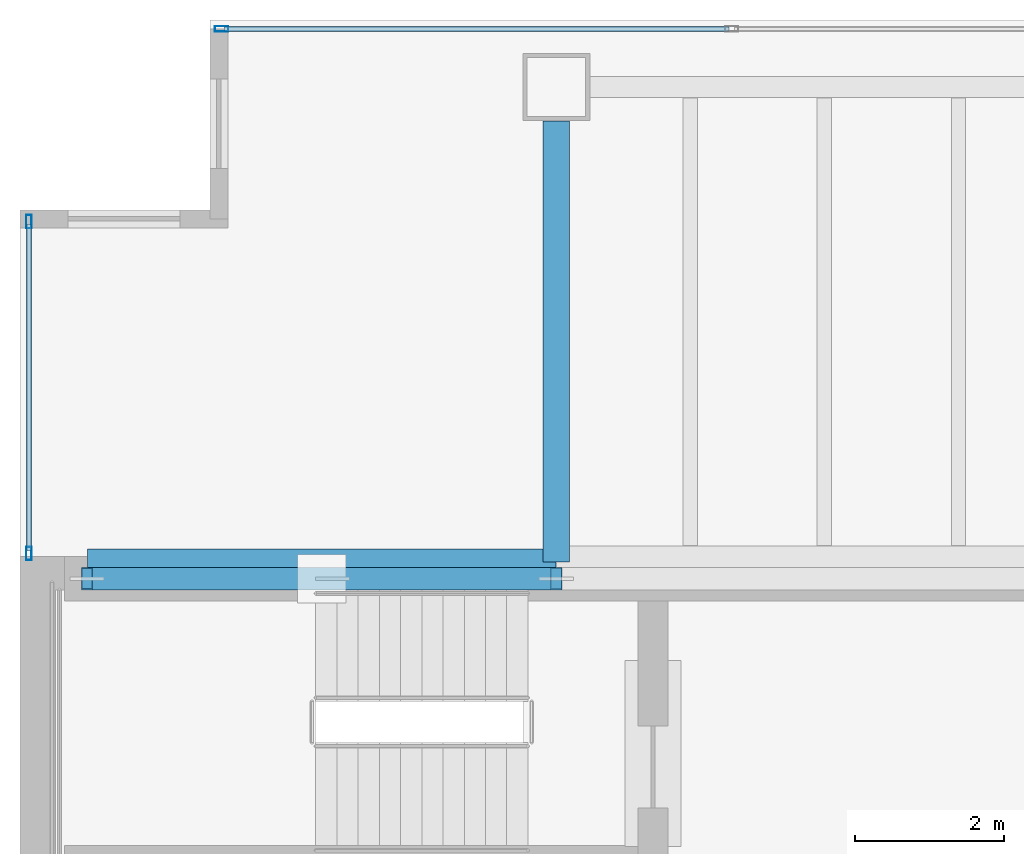
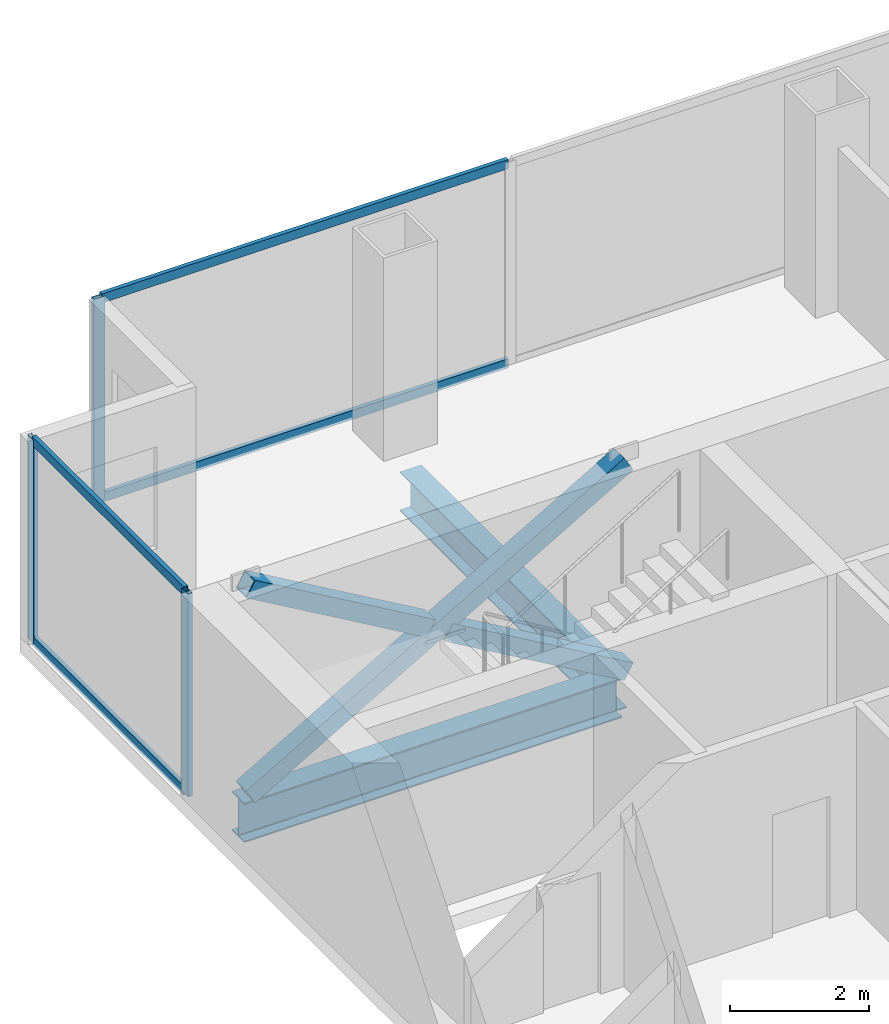
# One storey, part 16 of 23: 10 members, 2 beams, 2 elements without a shape of their own.
"""IFC4 building model written with IfcOpenShell, lengths in metres."""

from ifc_helpers import new_model, si_unit, direction, frame, origin, origin_2d, place, context, subcontext, project, spatial, hollow_rectangle, i_section, extrude, material, material_profile, profile_set, type_object, element, aggregate, save


model = new_model("IFC4")

# Units and contexts
model_context = context("Model", 3, precision=1e-05, world=origin(), true_north=direction((0.0, 1.0)))
body_context = subcontext(model_context, "Body", "Model", "MODEL_VIEW")
ifc_project = project(units=[si_unit("LENGTHUNIT", "METRE"), si_unit("AREAUNIT", "SQUARE_METRE"), si_unit("VOLUMEUNIT", "CUBIC_METRE"), si_unit("PLANEANGLEUNIT", "RADIAN"), si_unit("MASSUNIT", "GRAM", prefix="KILO")], contexts=[model_context])

# Site, building, storey
site_placement = place(None, origin())
site = spatial("IfcSite", under=ifc_project, at=site_placement, CompositionType="ELEMENT")
building_placement = place(site_placement, origin())
building = spatial("IfcBuilding", under=site, at=building_placement, Name="Cobrela Telecom Tower", CompositionType="ELEMENT")
storey_placement = place(building_placement, frame((0.0, 0.0, 129.14990234375)))
storey = spatial("IfcBuildingStorey", under=building, at=storey_placement, Name="L32", CompositionType="ELEMENT", Elevation=129.14990234375)

# Beams
ifc_material_1 = material(Name="Steel ASTM A992 Grade 50", Category="steel")
ifc_material_profile_1 = material_profile(ifc_material_1, i_section(OverallWidth=0.35595703125, OverallDepth=0.696044921875, WebThickness=0.015380859375, FlangeThickness=0.024658203125, FilletRadius=0.01806640625, at=origin_2d()), Name="W27X146")
ifc_profile_set_1 = profile_set([ifc_material_profile_1], Name="Steel ASTM A992 Grade 50")
beam_type = type_object("IfcBeamType", Name="BM-GIRD-05", PredefinedType="USERDEFINED", material=ifc_profile_set_1)
beam_1_placement = place(storey_placement, frame((0.905029296875, 35.919921875, -0.617919921875), z_axis=(1.0, 0.0, 0.0), x_axis=(0.0, 1.0, 0.0)))
element("IfcBeam", 1, at=beam_1_placement, inside=storey, type_object=beam_type, Name="L32 Primary Girder X25", ObjectType="GIRDER", PredefinedType="USERDEFINED", context=body_context, shape_type="SweptSolid", body=[
    extrude(i_section(OverallWidth=0.35595703125, OverallDepth=0.696044921875, WebThickness=0.015380859375, FlangeThickness=0.024658203125, FilletRadius=0.01806640625, at=origin_2d()), origin(), (0.0, 0.0, 1.0), 6.2900390625),
])
beam_2_placement = place(storey_placement, frame((7.199951171875, 35.925048828125, -0.617919921875), z_axis=(0.0, 1.0, 0.0), x_axis=(-1.0, 0.0, 0.0)))
element("IfcBeam", 2, at=beam_2_placement, inside=storey, type_object=beam_type, Name="L32 Primary Girder Y32", ObjectType="GIRDER", PredefinedType="USERDEFINED", context=body_context, shape_type="SweptSolid", body=[
    extrude(i_section(OverallWidth=0.35595703125, OverallDepth=0.696044921875, WebThickness=0.015380859375, FlangeThickness=0.024658203125, FilletRadius=0.01806640625, at=origin_2d()), origin(), (0.0, 0.0, 1.0), 5.919921875),
])

# Curtain wall, members
ifc_material_2 = material(Name="Anodized Bronze Aluminium 6063-T6", Category="aluminium")
curtain_wall_type = type_object("IfcCurtainWallType", Name="CW-SYS-TEL", PredefinedType="USERDEFINED", material=ifc_material_2)
curtain_wall_1_placement = place(storey_placement, origin())
curtain_wall_1 = element("IfcCurtainWall", 3, at=curtain_wall_1_placement, inside=storey, type_object=curtain_wall_type, Name="L32 Unitised Bronze Curtain Wall 04", ObjectType="UNITISED CURTAIN WALL", PredefinedType="USERDEFINED")
ifc_material_profile_2 = material_profile(ifc_material_2, hollow_rectangle(XDim=0.074951171875, YDim=0.179931640625, WallThickness=0.00390625, at=origin_2d()), Name="ALU 75x180x4")
ifc_profile_set_2 = profile_set([ifc_material_profile_2], Name="Anodized Bronze Aluminium 6063-T6")
member_type_1 = type_object("IfcMemberType", Name="CW-SYS-TEL-MUL", PredefinedType="MULLION", material=ifc_profile_set_2)
member_1_placement = place(storey_placement, frame((0.1201171875, 36.03759765625, 0.0), z_axis=(0.0, 0.0, 1.0), x_axis=(-1.0, 0.0, 0.0)))
member_1 = element("IfcMember", 4, at=member_1_placement, type_object=member_type_1, Name="CW-TEL mullion 1", PredefinedType="MULLION", context=body_context, shape_type="SweptSolid", body=[
    extrude(hollow_rectangle(XDim=0.074951171875, YDim=0.179931640625, WallThickness=0.00390625, at=origin_2d()), origin(), (0.0, 0.0, 1.0), 3.580078125),
])
member_2_placement = place(storey_placement, frame((0.1201171875, 40.492431640625, 0.0), z_axis=(0.0, 0.0, 1.0), x_axis=(-1.0, 0.0, 0.0)))
member_2 = element("IfcMember", 5, at=member_2_placement, type_object=member_type_1, Name="CW-TEL mullion 2", PredefinedType="MULLION", context=body_context, shape_type="SweptSolid", body=[
    extrude(hollow_rectangle(XDim=0.074951171875, YDim=0.179931640625, WallThickness=0.00390625, at=origin_2d()), origin(), (0.0, 0.0, 1.0), 3.580078125),
])

# Curtain wall, member
curtain_wall_2_placement = place(storey_placement, origin())
curtain_wall_2 = element("IfcCurtainWall", 6, at=curtain_wall_2_placement, inside=storey, type_object=curtain_wall_type, Name="L32 Unitised Bronze Curtain Wall 07", ObjectType="UNITISED CURTAIN WALL", PredefinedType="USERDEFINED")
member_3_placement = place(storey_placement, frame((2.70751953125, 43.080078125, 0.0), z_axis=(0.0, 0.0, 1.0), x_axis=(0.0, 1.0, 0.0)))
member_3 = element("IfcMember", 7, at=member_3_placement, type_object=member_type_1, Name="CW-TEL mullion 1", PredefinedType="MULLION", context=body_context, shape_type="SweptSolid", body=[
    extrude(hollow_rectangle(XDim=0.074951171875, YDim=0.179931640625, WallThickness=0.00390625, at=origin_2d()), origin(), (0.0, 0.0, 1.0), 3.580078125),
])

# Member
ifc_material_profile_3 = material_profile(ifc_material_2, hollow_rectangle(XDim=0.070068359375, YDim=0.159912109375, WallThickness=0.00390625, at=origin_2d()), Name="ALU 70x160x4")
ifc_profile_set_3 = profile_set([ifc_material_profile_3], Name="Anodized Bronze Aluminium 6063-T6")
member_type_2 = type_object("IfcMemberType", Name="CW-SYS-TEL-TRN", PredefinedType="USERDEFINED", material=ifc_profile_set_3)
member_4_placement = place(storey_placement, frame((0.1201171875, 36.074951171875, 0.03515625), z_axis=(0.0, 1.0, 0.0), x_axis=(-1.0, 0.0, 0.0)))
member_4 = element("IfcMember", 8, at=member_4_placement, type_object=member_type_2, Name="CW-TEL transom 1.1", ObjectType="TRANSOM", PredefinedType="USERDEFINED", context=body_context, shape_type="SweptSolid", body=[
    extrude(hollow_rectangle(XDim=0.070068359375, YDim=0.159912109375, WallThickness=0.00390625, at=origin_2d()), origin(), (0.0, 0.0, 1.0), 4.380126953125),
])

member_5_placement = place(storey_placement, frame((0.1201171875, 36.074951171875, 3.545166015625), z_axis=(0.0, 1.0, 0.0), x_axis=(-1.0, 0.0, 0.0)))
member_5 = element("IfcMember", 9, at=member_5_placement, type_object=member_type_2, Name="CW-TEL transom 1.2", ObjectType="TRANSOM", PredefinedType="USERDEFINED", context=body_context, shape_type="SweptSolid", body=[
    extrude(hollow_rectangle(XDim=0.070068359375, YDim=0.159912109375, WallThickness=0.00390625, at=origin_2d()), origin(), (0.0, 0.0, 1.0), 4.380126953125),
])

aggregate(curtain_wall_1, [member_1, member_2, member_4, member_5])

member_6_placement = place(storey_placement, frame((2.7451171875, 43.080078125, 0.03515625), z_axis=(1.0, 0.0, 0.0), x_axis=(0.0, 1.0, 0.0)))
member_6 = element("IfcMember", 10, at=member_6_placement, type_object=member_type_2, Name="CW-TEL transom 1.1", ObjectType="TRANSOM", PredefinedType="USERDEFINED", context=body_context, shape_type="SweptSolid", body=[
    extrude(hollow_rectangle(XDim=0.070068359375, YDim=0.159912109375, WallThickness=0.00390625, at=origin_2d()), origin(), (0.0, 0.0, 1.0), 6.774169921875),
])

member_7_placement = place(storey_placement, frame((2.7451171875, 43.080078125, 3.545166015625), z_axis=(1.0, 0.0, 0.0), x_axis=(0.0, 1.0, 0.0)))
member_7 = element("IfcMember", 11, at=member_7_placement, type_object=member_type_2, Name="CW-TEL transom 1.2", ObjectType="TRANSOM", PredefinedType="USERDEFINED", context=body_context, shape_type="SweptSolid", body=[
    extrude(hollow_rectangle(XDim=0.070068359375, YDim=0.159912109375, WallThickness=0.00390625, at=origin_2d()), origin(), (0.0, 0.0, 1.0), 6.774169921875),
])

aggregate(curtain_wall_2, [member_3, member_6, member_7])

# Members
ifc_material_3 = material(Name="Steel ASTM A572 Grade 50", Category="steel")
ifc_material_profile_4 = material_profile(ifc_material_3, hollow_rectangle(XDim=0.300048828125, YDim=0.300048828125, WallThickness=0.01611328125, at=origin_2d()), Name="HSS 300x300x16")
ifc_profile_set_4 = profile_set([ifc_material_profile_4], Name="Steel ASTM A572 Grade 50")
member_type_3 = type_object("IfcMemberType", Name="MBR-EXO-03", PredefinedType="BRACE", material=ifc_profile_set_4)
member_8_placement = place(storey_placement, frame((0.89990234375, 35.699951171875, -0.039794921875), z_axis=(0.864680500519, 0.0, 0.502322239228), x_axis=(0.0, 1.0, 0.0)))
element("IfcMember", 12, at=member_8_placement, inside=storey, type_object=member_type_3, Name="L32 Core Flange Steel X-Brace Continuous A", PredefinedType="BRACE", context=body_context, shape_type="SweptSolid", body=[
    extrude(hollow_rectangle(XDim=0.300048828125, YDim=0.300048828125, WallThickness=0.01611328125, at=origin_2d()), origin(), (0.0, 0.0, 1.0), 7.285888671875),
])
member_9_placement = place(storey_placement, frame((7.199951171875, 35.699951171875, -0.039794921875), z_axis=(-0.864666885148, 0.0, 0.502345675535), x_axis=(0.0, -1.0, 0.0)))
element("IfcMember", 13, at=member_9_placement, inside=storey, type_object=member_type_3, Name="L32 Core Flange Steel X-Brace Split B1", PredefinedType="BRACE", context=body_context, shape_type="SweptSolid", body=[
    extrude(hollow_rectangle(XDim=0.300048828125, YDim=0.300048828125, WallThickness=0.01611328125, at=origin_2d()), origin(), (0.0, 0.0, 1.0), 3.474853515625),
])
member_10_placement = place(storey_placement, frame((3.90478515625, 35.699951171875, 1.87451171875), z_axis=(-0.864684613256, 0.0, 0.502315159634), x_axis=(0.0, -1.0, 0.0)))
element("IfcMember", 14, at=member_10_placement, inside=storey, type_object=member_type_3, Name="L32 Core Flange Steel X-Brace Split B2", PredefinedType="BRACE", context=body_context, shape_type="SweptSolid", body=[
    extrude(hollow_rectangle(XDim=0.300048828125, YDim=0.300048828125, WallThickness=0.01611328125, at=origin_2d()), origin(), (0.0, 0.0, 1.0), 3.47509765625),
])

save(model, "model.ifc")
